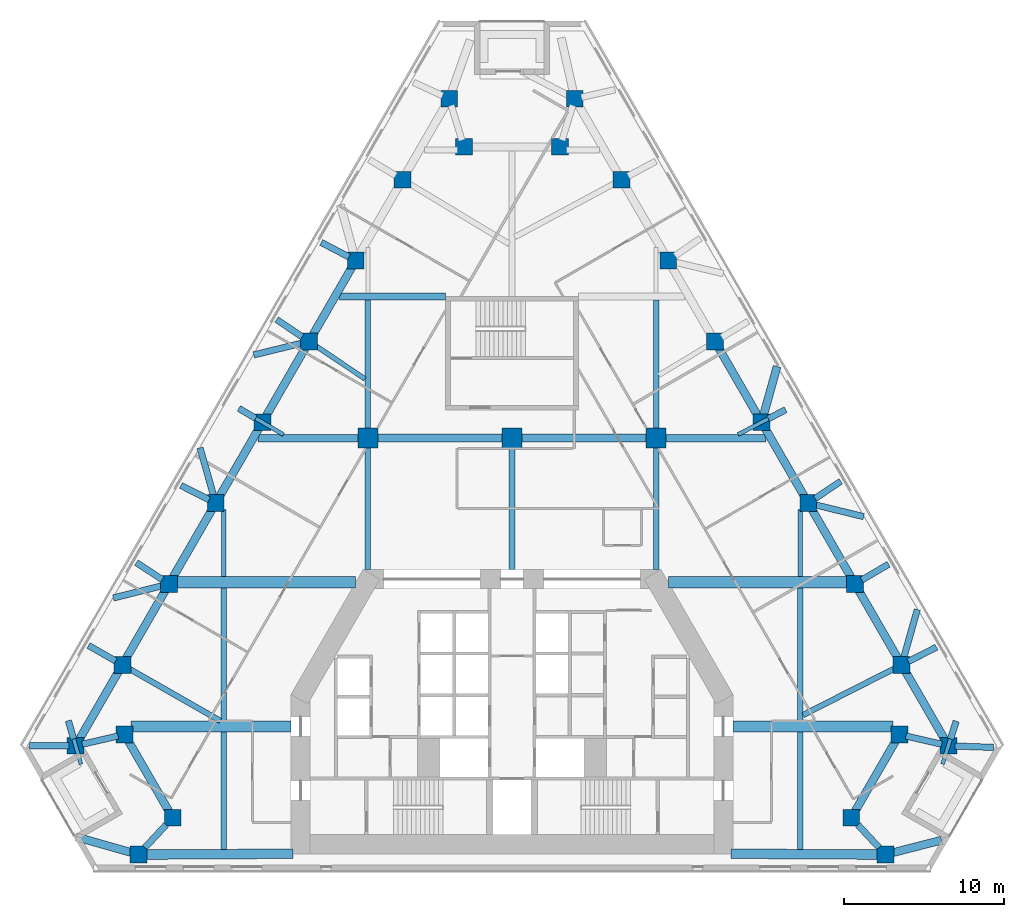
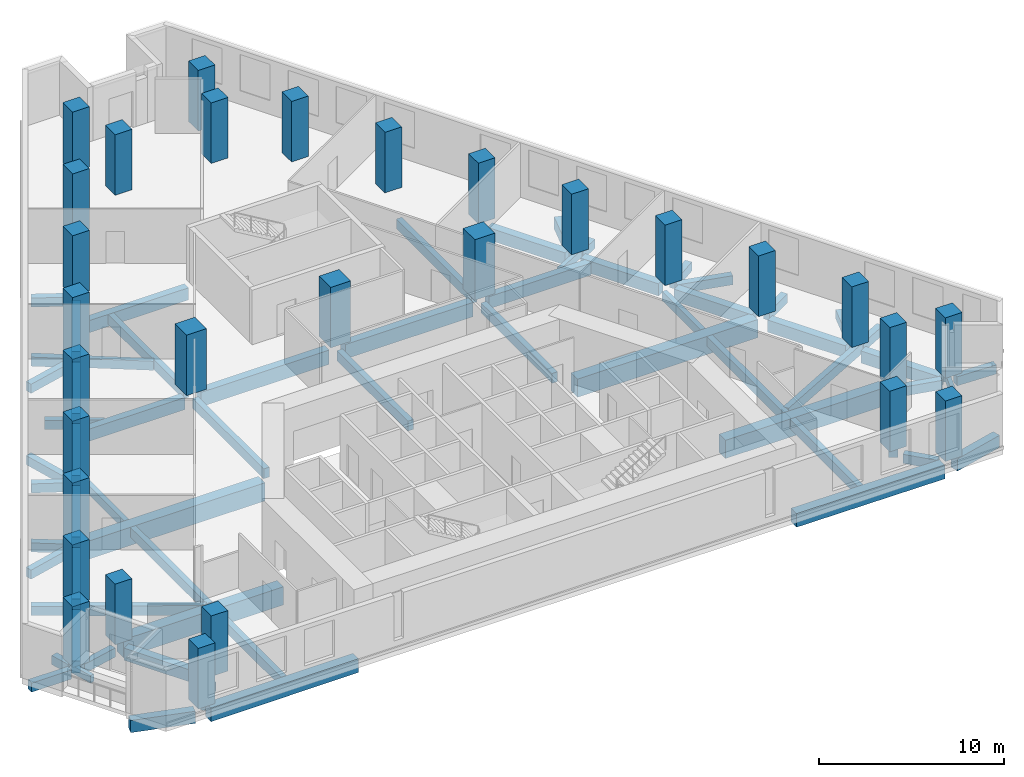
# One storey, part 1 of 9: 68 beams, 29 columns.
"""IFC4 building model written with IfcOpenShell, lengths in metres."""

from ifc_helpers import new_model, si_unit, direction, frame, origin, origin_2d, place, context, subcontext, project, spatial, rectangle, extrude, material, material_profile, profile_set, type_object, element, save


model = new_model("IFC4")

# Units and contexts
model_context = context("Model", 3, precision=1e-05, world=origin(), true_north=direction((0.0, 1.0)))
body_context = subcontext(model_context, "Body", "Model", "MODEL_VIEW")
ifc_project = project(units=[si_unit("LENGTHUNIT", "METRE"), si_unit("AREAUNIT", "SQUARE_METRE"), si_unit("VOLUMEUNIT", "CUBIC_METRE"), si_unit("PLANEANGLEUNIT", "RADIAN"), si_unit("MASSUNIT", "GRAM", prefix="KILO")], contexts=[model_context])

# Site, building, storey
site_placement = place(None, origin())
site = spatial("IfcSite", under=ifc_project, at=site_placement, CompositionType="ELEMENT")
building_placement = place(site_placement, origin())
building = spatial("IfcBuilding", under=site, at=building_placement, Name="Fogline Exchange Tower", CompositionType="ELEMENT")
storey_placement = place(building_placement, frame((0.0, 0.0, 104.10009765625)))
storey = spatial("IfcBuildingStorey", under=building, at=storey_placement, Name="L22", CompositionType="ELEMENT", Elevation=104.10009765625)

# Columns
ifc_material_1 = material(Name="Concrete C70", Category="concrete")
ifc_material_profile_1 = material_profile(ifc_material_1, rectangle(XDim=1.25, YDim=1.25, at=origin_2d()), Name="RC 1250x1250")
ifc_profile_set_1 = profile_set([ifc_material_profile_1], Name="Concrete C70")
column_type_1 = type_object("IfcColumnType", Name="C03", PredefinedType="COLUMN", material=ifc_profile_set_1)
for number, where, z_axis, x_axis, name in (
    (1, (-9.0, 27.0, 0.0), (0.0, 0.0, 1.0), (1.0, 0.0, 0.0), "IC--9-27"),
    (2, (0.0, 27.0, 0.0), (0.0, 0.0, 1.0), (1.0, 0.0, 0.0), "IC-0-27"),
    (3, (9.0, 27.0, 0.0), (0.0, 0.0, 1.0), (1.0, 0.0, 0.0), "IC-9-27"),
):
    element("IfcColumn", number, at=place(storey_placement, frame(where, z_axis=z_axis, x_axis=x_axis)), inside=storey, type_object=column_type_1, Name=name, PredefinedType="COLUMN", context=body_context, shape_type="SweptSolid", body=[
        extrude(rectangle(XDim=1.25, YDim=1.25, at=origin_2d()), origin(), (0.0, 0.0, 1.0), 4.0),
    ])
ifc_material_profile_2 = material_profile(ifc_material_1, rectangle(XDim=1.050048828125, YDim=1.050048828125, at=origin_2d()), Name="RC 1050x1050")
ifc_profile_set_2 = profile_set([ifc_material_profile_2], Name="Concrete C70")
column_type_2 = type_object("IfcColumnType", Name="C04", PredefinedType="COLUMN", material=ifc_profile_set_2)
for number, where, z_axis, x_axis, name in (
    (4, (-27.2490234375, 7.794189453125, 0.0), (0.0, 0.0, 1.0), (1.0, 0.0, 0.0), "SW-a"),
    (5, (-24.189697265625, 8.4951171875, 0.0), (0.0, 0.0, 1.0), (1.0, 0.0, 0.0), "SW-p4"),
    (6, (-21.189697265625, 3.299072265625, 0.0), (0.0, 0.0, 1.0), (1.0, 0.0, 0.0), "SW-p3"),
    (7, (-23.326416015625, 1.0, 0.0), (0.0, 0.0, 1.0), (1.0, 0.0, 0.0), "SW-b"),
    (8, (23.326416015625, 1.0, 0.0), (0.0, 0.0, 1.0), (1.0, 0.0, 0.0), "SE-a"),
    (9, (21.189697265625, 3.299072265625, 0.0), (0.0, 0.0, 1.0), (1.0, 0.0, 0.0), "SE-p4"),
    (10, (24.189697265625, 8.4951171875, 0.0), (0.0, 0.0, 1.0), (1.0, 0.0, 0.0), "SE-p3"),
    (11, (27.2490234375, 7.794189453125, 0.0), (0.0, 0.0, 1.0), (1.0, 0.0, 0.0), "SE-b"),
    (12, (24.333251953125, 12.844482421875, 0.0), (0.0, 0.0, 1.0), (1.0, 0.0, 0.0), "E1"),
    (13, (21.41748046875, 17.894775390625, 0.0), (0.0, 0.0, 1.0), (1.0, 0.0, 0.0), "E2"),
    (14, (18.501708984375, 22.945068359375, 0.0), (0.0, 0.0, 1.0), (1.0, 0.0, 0.0), "E3"),
    (15, (15.585693359375, 27.995361328125, 0.0), (0.0, 0.0, 1.0), (1.0, 0.0, 0.0), "E4"),
    (16, (12.669921875, 33.045654296875, 0.0), (0.0, 0.0, 1.0), (1.0, 0.0, 0.0), "E5"),
    (17, (9.754150390625, 38.095947265625, 0.0), (0.0, 0.0, 1.0), (1.0, 0.0, 0.0), "E6"),
    (18, (6.83837890625, 43.146240234375, 0.0), (0.0, 0.0, 1.0), (1.0, 0.0, 0.0), "E7"),
    (19, (3.922607421875, 48.19677734375, 0.0), (0.0, 0.0, 1.0), (1.0, 0.0, 0.0), "N-a"),
    (20, (3.0, 45.19677734375, 0.0), (0.0, 0.0, 1.0), (1.0, 0.0, 0.0), "N-p4"),
    (21, (-3.0, 45.19677734375, 0.0), (0.0, 0.0, 1.0), (1.0, 0.0, 0.0), "N-p3"),
    (22, (-3.922607421875, 48.19677734375, 0.0), (0.0, 0.0, 1.0), (1.0, 0.0, 0.0), "N-b"),
    (23, (-6.83837890625, 43.146240234375, 0.0), (0.0, 0.0, 1.0), (1.0, 0.0, 0.0), "W1"),
    (24, (-9.754150390625, 38.095947265625, 0.0), (0.0, 0.0, 1.0), (1.0, 0.0, 0.0), "W2"),
    (25, (-12.669921875, 33.045654296875, 0.0), (0.0, 0.0, 1.0), (1.0, 0.0, 0.0), "W3"),
    (26, (-15.585693359375, 27.995361328125, 0.0), (0.0, 0.0, 1.0), (1.0, 0.0, 0.0), "W4"),
    (27, (-18.501708984375, 22.945068359375, 0.0), (0.0, 0.0, 1.0), (1.0, 0.0, 0.0), "W5"),
    (28, (-21.41748046875, 17.894775390625, 0.0), (0.0, 0.0, 1.0), (1.0, 0.0, 0.0), "W6"),
    (29, (-24.333251953125, 12.844482421875, 0.0), (0.0, 0.0, 1.0), (1.0, 0.0, 0.0), "W7"),
):
    element("IfcColumn", number, at=place(storey_placement, frame(where, z_axis=z_axis, x_axis=x_axis)), inside=storey, type_object=column_type_2, Name=name, PredefinedType="COLUMN", context=body_context, shape_type="SweptSolid", body=[
        extrude(rectangle(XDim=1.050048828125, YDim=1.050048828125, at=origin_2d()), origin(), (0.0, 0.0, 1.0), 4.0),
    ])

# Beams
ifc_material_2 = material(Name="Concrete C40", Category="concrete")
ifc_material_profile_3 = material_profile(ifc_material_2, rectangle(XDim=0.300048828125, YDim=0.60009765625, at=origin_2d()), Name="RC 300x600")
ifc_profile_set_3 = profile_set([ifc_material_profile_3], Name="Concrete C40")
beam_type_1 = type_object("IfcBeamType", Name="B06", PredefinedType="BEAM", material=ifc_profile_set_3)
for number, where, z_axis, x_axis, name in (
    (30, (-18.0, 18.35009765625, -0.7001953125), (0.0, 1.0, 0.0), (-1.0, 0.0, 0.0), "SB003"),
    (31, (18.0, 18.35009765625, -0.7001953125), (0.0, 1.0, 0.0), (-1.0, 0.0, 0.0), "SB014"),
):
    element("IfcBeam", number, at=place(storey_placement, frame(where, z_axis=z_axis, x_axis=x_axis)), inside=storey, type_object=beam_type_1, Name=name, PredefinedType="BEAM", context=body_context, shape_type="SweptSolid", body=[
        extrude(rectangle(XDim=0.300048828125, YDim=0.60009765625, at=origin_2d()), origin(), (0.0, 0.0, 1.0), 4.18994140625),
    ])
beam_1_placement = place(storey_placement, frame((-13.195068359375, 33.39794921875, -0.7001953125), z_axis=(0.830401800017, -0.557165011939, 0.0), x_axis=(0.557165011939, 0.830401800017, 0.0)))
element("IfcBeam", 32, at=beam_1_placement, inside=storey, type_object=beam_type_1, Name="SK022", PredefinedType="BEAM", context=body_context, shape_type="SweptSolid", body=[
    extrude(rectangle(XDim=0.300048828125, YDim=0.60009765625, at=origin_2d()), origin(), (0.0, 0.0, 1.0), 4.841064453125),
])
ifc_material_profile_4 = material_profile(ifc_material_2, rectangle(XDim=0.25, YDim=0.5, at=origin_2d()), Name="RC 250x500")
ifc_profile_set_4 = profile_set([ifc_material_profile_4], Name="Concrete C40")
beam_type_2 = type_object("IfcBeamType", Name="B08", PredefinedType="BEAM", material=ifc_profile_set_4)
beam_2_placement = place(storey_placement, frame((-16.11083984375, 28.30322265625, -0.650146484375), z_axis=(0.8626635068, -0.505778285453, 0.0), x_axis=(0.505778285453, 0.8626635068, 0.0)))
element("IfcBeam", 33, at=beam_2_placement, inside=storey, type_object=beam_type_2, Name="SK016", PredefinedType="BEAM", context=body_context, shape_type="SweptSolid", body=[
    extrude(rectangle(XDim=0.25, YDim=0.5, at=origin_2d()), origin(), (0.0, 0.0, 1.0), 2.131591796875),
])
beam_3_placement = place(storey_placement, frame((16.11083984375, 28.27001953125, -0.650146484375), z_axis=(-0.886159772529, -0.463379819966, 0.0), x_axis=(0.463379819966, -0.886159772529, 0.0)))
element("IfcBeam", 34, at=beam_3_placement, inside=storey, type_object=beam_type_2, Name="SK020", PredefinedType="BEAM", context=body_context, shape_type="SweptSolid", body=[
    extrude(rectangle(XDim=0.25, YDim=0.5, at=origin_2d()), origin(), (0.0, 0.0, 1.0), 2.2548828125),
])
beam_4_placement = place(storey_placement, frame((-27.372314453125, 8.218505859375, -0.650146484375), z_axis=(0.279229948212, -0.9602242634, 0.0), x_axis=(0.9602242634, 0.279229948212, 0.0)))
element("IfcBeam", 35, at=beam_4_placement, inside=storey, type_object=beam_type_2, Name="SK023", PredefinedType="BEAM", context=body_context, shape_type="SweptSolid", body=[
    extrude(rectangle(XDim=0.25, YDim=0.5, at=origin_2d()), origin(), (0.0, 0.0, 1.0), 1.643798828125),
])
beam_5_placement = place(storey_placement, frame((27.385009765625, 8.220703125, -0.650146484375), z_axis=(-0.304008781424, -0.95266922949, 0.0), x_axis=(0.95266922949, -0.304008781424, 0.0)))
element("IfcBeam", 36, at=beam_5_placement, inside=storey, type_object=beam_type_2, Name="SK024", PredefinedType="BEAM", context=body_context, shape_type="SweptSolid", body=[
    extrude(rectangle(XDim=0.25, YDim=0.5, at=origin_2d()), origin(), (0.0, 0.0, 1.0), 1.65185546875),
])
ifc_material_profile_5 = material_profile(ifc_material_2, rectangle(XDim=0.60009765625, YDim=0.89990234375, at=origin_2d()), Name="RC 600x900")
ifc_profile_set_5 = profile_set([ifc_material_profile_5], Name="Concrete C40")
beam_type_3 = type_object("IfcBeamType", Name="B09", PredefinedType="BEAM", material=ifc_profile_set_5)
for number, where, z_axis, x_axis, name in (
    (37, (-22.92138671875, 0.998779296875, -0.85009765625), (0.999984168638, 0.005626941799, 0.0), (-0.005626941799, 0.999984168638, 0.0), "RB004"),
    (38, (13.679931640625, 1.05078125, -0.85009765625), (0.999984464538, -0.005574108314, 0.0), (0.005574108314, 0.999984464538, 0.0), "RB005"),
):
    element("IfcBeam", number, at=place(storey_placement, frame(where, z_axis=z_axis, x_axis=x_axis)), inside=storey, type_object=beam_type_3, Name=name, PredefinedType="BEAM", context=body_context, shape_type="SweptSolid", body=[
        extrude(rectangle(XDim=0.60009765625, YDim=0.89990234375, at=origin_2d()), origin(), (0.0, 0.0, 1.0), 9.24169921875),
    ])
ifc_material_profile_6 = material_profile(ifc_material_2, rectangle(XDim=0.5, YDim=0.800048828125, at=origin_2d()), Name="RC 500x800")
ifc_profile_set_6 = profile_set([ifc_material_profile_6], Name="Concrete C40")
beam_type_4 = type_object("IfcBeamType", Name="B10", PredefinedType="BEAM", material=ifc_profile_set_6)
for number, where, z_axis, x_axis, name in (
    (39, (-23.946533203125, 8.07421875, -0.800048828125), (0.500019495363, -0.866014147839, 0.0), (0.866014147839, 0.500019495363, 0.0), "RB002"),
    (40, (21.4326171875, 3.72021484375, -0.800048828125), (0.500019495363, 0.866014147839, 0.0), (-0.866014147839, 0.500019495363, 0.0), "RB007"),
):
    element("IfcBeam", number, at=place(storey_placement, frame(where, z_axis=z_axis, x_axis=x_axis)), inside=storey, type_object=beam_type_4, Name=name, PredefinedType="BEAM", context=body_context, shape_type="SweptSolid", body=[
        extrude(rectangle(XDim=0.5, YDim=0.800048828125, at=origin_2d()), origin(), (0.0, 0.0, 1.0), 5.027587890625),
    ])
beam_6_placement = place(storey_placement, frame((27.005859375, 8.21533203125, -0.800048828125), z_axis=(-0.499970359091, 0.866042516295, 0.0), x_axis=(-0.866042516295, -0.499970359091, 0.0)))
element("IfcBeam", 41, at=beam_6_placement, inside=storey, type_object=beam_type_4, Name="RB009", PredefinedType="BEAM", context=body_context, shape_type="SweptSolid", body=[
    extrude(rectangle(XDim=0.5, YDim=0.800048828125, at=origin_2d()), origin(), (0.0, 0.0, 1.0), 4.859130859375),
])
for number, where, z_axis, x_axis, name in (
    (42, (24.090087890625, 13.265625, -0.800048828125), (-0.500008041581, 0.866020760926, 0.0), (-0.866020760926, -0.500008041581, 0.0), "RB010"),
    (43, (21.17431640625, 18.31591796875, -0.800048828125), (-0.500008041581, 0.866020760926, 0.0), (-0.866020760926, -0.500008041581, 0.0), "RB011"),
    (44, (18.258544921875, 23.3662109375, -0.800048828125), (-0.500008041581, 0.866020760926, 0.0), (-0.866020760926, -0.500008041581, 0.0), "RB012"),
    (45, (15.3427734375, 28.41650390625, -0.800048828125), (-0.500008041581, 0.866020760926, 0.0), (-0.866020760926, -0.500008041581, 0.0), "RB013"),
    (46, (-9.997314453125, 37.675048828125, -0.800048828125), (-0.500008041581, -0.866020760926, 0.0), (0.866020760926, -0.500008041581, 0.0), "RB022"),
    (47, (-12.9130859375, 32.624755859375, -0.800048828125), (-0.500008041581, -0.866020760926, 0.0), (0.866020760926, -0.500008041581, 0.0), "RB023"),
    (48, (-15.828857421875, 27.574462890625, -0.800048828125), (-0.500008041581, -0.866020760926, 0.0), (0.866020760926, -0.500008041581, 0.0), "RB024"),
    (49, (-18.74462890625, 22.524169921875, -0.800048828125), (-0.500008041581, -0.866020760926, 0.0), (0.866020760926, -0.500008041581, 0.0), "RB025"),
    (50, (-21.660400390625, 17.473876953125, -0.800048828125), (-0.500008041581, -0.866020760926, 0.0), (0.866020760926, -0.500008041581, 0.0), "RB026"),
):
    element("IfcBeam", number, at=place(storey_placement, frame(where, z_axis=z_axis, x_axis=x_axis)), inside=storey, type_object=beam_type_4, Name=name, PredefinedType="BEAM", context=body_context, shape_type="SweptSolid", body=[
        extrude(rectangle(XDim=0.5, YDim=0.800048828125, at=origin_2d()), origin(), (0.0, 0.0, 1.0), 4.859375),
    ])
beam_7_placement = place(storey_placement, frame((-24.576416015625, 12.423583984375, -0.800048828125), z_axis=(-0.499970359091, -0.866042516295, 0.0), x_axis=(0.866042516295, -0.499970359091, 0.0)))
element("IfcBeam", 51, at=beam_7_placement, inside=storey, type_object=beam_type_4, Name="RB027", PredefinedType="BEAM", context=body_context, shape_type="SweptSolid", body=[
    extrude(rectangle(XDim=0.5, YDim=0.800048828125, at=origin_2d()), origin(), (0.0, 0.0, 1.0), 4.859130859375),
])
beam_8_placement = place(storey_placement, frame((-23.73583984375, 1.115966796875, -0.800048828125), z_axis=(-0.962158744205, 0.272489542828, 0.0), x_axis=(-0.272489542828, -0.962158744205, 0.0)))
element("IfcBeam", 52, at=beam_8_placement, inside=storey, type_object=beam_type_4, Name="SP030", PredefinedType="BEAM", context=body_context, shape_type="SweptSolid", body=[
    extrude(rectangle(XDim=0.5, YDim=0.800048828125, at=origin_2d()), origin(), (0.0, 0.0, 1.0), 3.59912109375),
])
beam_9_placement = place(storey_placement, frame((23.735107421875, 1.105224609375, -0.800048828125), z_axis=(0.968471290959, 0.24912518658, 0.0), x_axis=(-0.24912518658, 0.968471290959, 0.0)))
element("IfcBeam", 53, at=beam_9_placement, inside=storey, type_object=beam_type_4, Name="SP031", PredefinedType="BEAM", context=body_context, shape_type="SweptSolid", body=[
    extrude(rectangle(XDim=0.5, YDim=0.800048828125, at=origin_2d()), origin(), (0.0, 0.0, 1.0), 3.18798828125),
])
beam_10_placement = place(storey_placement, frame((15.699462890625, 28.40478515625, -0.800048828125), z_axis=(0.267584631836, 0.963534360988, 0.0), x_axis=(-0.963534360988, 0.267584631836, 0.0)))
element("IfcBeam", 54, at=beam_10_placement, inside=storey, type_object=beam_type_4, Name="SP059", PredefinedType="BEAM", context=body_context, shape_type="SweptSolid", body=[
    extrude(rectangle(XDim=0.5, YDim=0.800048828125, at=origin_2d()), origin(), (0.0, 0.0, 1.0), 3.188720703125),
])
ifc_material_profile_7 = material_profile(ifc_material_2, rectangle(XDim=0.39990234375, YDim=0.60009765625, at=origin_2d()), Name="RC 400x600")
ifc_profile_set_7 = profile_set([ifc_material_profile_7], Name="Concrete C40")
beam_type_5 = type_object("IfcBeamType", Name="B11", PredefinedType="BEAM", material=ifc_profile_set_7)
beam_11_placement = place(storey_placement, frame((-26.841064453125, 7.8876953125, -0.7001953125), z_axis=(0.974751081059, 0.223294267671, 0.0), x_axis=(-0.223294267671, 0.974751081059, 0.0)))
element("IfcBeam", 55, at=beam_11_placement, inside=storey, type_object=beam_type_5, Name="RB001", PredefinedType="BEAM", context=body_context, shape_type="SweptSolid", body=[
    extrude(rectangle(XDim=0.39990234375, YDim=0.60009765625, at=origin_2d()), origin(), (0.0, 0.0, 1.0), 2.301513671875),
])
for number, where, z_axis, x_axis, name in (
    (56, (-21.595703125, 2.86181640625, -0.7001953125), (-0.680845728707, -0.732426852117, 0.0), (0.732426852117, -0.680845728707, 0.0), "RB003"),
    (57, (22.920166015625, 1.43701171875, -0.7001953125), (-0.680845728707, 0.732426852117, 0.0), (-0.732426852117, -0.680845728707, 0.0), "RB006"),
):
    element("IfcBeam", number, at=place(storey_placement, frame(where, z_axis=z_axis, x_axis=x_axis)), inside=storey, type_object=beam_type_5, Name=name, PredefinedType="BEAM", context=body_context, shape_type="SweptSolid", body=[
        extrude(rectangle(XDim=0.39990234375, YDim=0.60009765625, at=origin_2d()), origin(), (0.0, 0.0, 1.0), 1.9453125),
    ])
beam_12_placement = place(storey_placement, frame((24.59765625, 8.401611328125, -0.7001953125), z_axis=(0.974751081059, -0.223294267671, 0.0), x_axis=(0.223294267671, 0.974751081059, 0.0)))
element("IfcBeam", 58, at=beam_12_placement, inside=storey, type_object=beam_type_5, Name="RB008", PredefinedType="BEAM", context=body_context, shape_type="SweptSolid", body=[
    extrude(rectangle(XDim=0.39990234375, YDim=0.60009765625, at=origin_2d()), origin(), (0.0, 0.0, 1.0), 2.301513671875),
])
beam_13_placement = place(storey_placement, frame((-27.654052734375, 7.794189453125, -0.7001953125), z_axis=(-1.0, 0.0, 0.0), x_axis=(0.0, -1.0, 0.0)))
element("IfcBeam", 59, at=beam_13_placement, inside=storey, type_object=beam_type_5, Name="SP032", PredefinedType="BEAM", context=body_context, shape_type="SweptSolid", body=[
    extrude(rectangle(XDim=0.39990234375, YDim=0.60009765625, at=origin_2d()), origin(), (0.0, 0.0, 1.0), 2.48388671875),
])
beam_14_placement = place(storey_placement, frame((27.654052734375, 7.779296875, -0.7001953125), z_axis=(0.999307612951, -0.037206111045, 0.0), x_axis=(0.037206111045, 0.999307612951, 0.0)))
element("IfcBeam", 60, at=beam_14_placement, inside=storey, type_object=beam_type_5, Name="SP033", PredefinedType="BEAM", context=body_context, shape_type="SweptSolid", body=[
    extrude(rectangle(XDim=0.39990234375, YDim=0.60009765625, at=origin_2d()), origin(), (0.0, 0.0, 1.0), 2.414794921875),
])
beam_15_placement = place(storey_placement, frame((-24.75390625, 13.084716796875, -0.7001953125), z_axis=(-0.868381750454, 0.495896295085, 0.0), x_axis=(-0.495896295085, -0.868381750454, 0.0)))
element("IfcBeam", 61, at=beam_15_placement, inside=storey, type_object=beam_type_5, Name="SP035", PredefinedType="BEAM", context=body_context, shape_type="SweptSolid", body=[
    extrude(rectangle(XDim=0.39990234375, YDim=0.60009765625, at=origin_2d()), origin(), (0.0, 0.0, 1.0), 1.95068359375),
])
beam_16_placement = place(storey_placement, frame((-16.00732421875, 28.24267578125, -0.7001953125), z_axis=(-0.862710012371, 0.505698956451, 0.0), x_axis=(-0.505698956451, -0.862710012371, 0.0)))
element("IfcBeam", 62, at=beam_16_placement, inside=storey, type_object=beam_type_5, Name="SP036", PredefinedType="BEAM", context=body_context, shape_type="SweptSolid", body=[
    extrude(rectangle(XDim=0.39990234375, YDim=0.60009765625, at=origin_2d()), origin(), (0.0, 0.0, 1.0), 1.219970703125),
])
beam_17_placement = place(storey_placement, frame((21.8388671875, 18.142333984375, -0.7001953125), z_axis=(0.862291946909, 0.506411491078, 0.0), x_axis=(-0.506411491078, 0.862291946909, 0.0)))
element("IfcBeam", 63, at=beam_17_placement, inside=storey, type_object=beam_type_5, Name="SP037", PredefinedType="BEAM", context=body_context, shape_type="SweptSolid", body=[
    extrude(rectangle(XDim=0.39990234375, YDim=0.60009765625, at=origin_2d()), origin(), (0.0, 0.0, 1.0), 1.9462890625),
])
beam_18_placement = place(storey_placement, frame((16.00439453125, 28.21435546875, -0.7001953125), z_axis=(0.886156359679, 0.463386346583, 0.0), x_axis=(-0.463386346583, 0.886156359679, 0.0)))
element("IfcBeam", 64, at=beam_18_placement, inside=storey, type_object=beam_type_5, Name="SP041", PredefinedType="BEAM", context=body_context, shape_type="SweptSolid", body=[
    extrude(rectangle(XDim=0.39990234375, YDim=0.60009765625, at=origin_2d()), origin(), (0.0, 0.0, 1.0), 1.22021484375),
])
beam_19_placement = place(storey_placement, frame((-10.1728515625, 38.314697265625, -0.7001953125), z_axis=(-0.886489579904, 0.462748554532, 0.0), x_axis=(-0.462748554532, -0.886489579904, 0.0)))
element("IfcBeam", 65, at=beam_19_placement, inside=storey, type_object=beam_type_5, Name="SP042", PredefinedType="BEAM", context=body_context, shape_type="SweptSolid", body=[
    extrude(rectangle(XDim=0.39990234375, YDim=0.60009765625, at=origin_2d()), origin(), (0.0, 0.0, 1.0), 1.96533203125),
])
beam_20_placement = place(storey_placement, frame((24.751220703125, 13.05712890625, -0.7001953125), z_axis=(0.891433491265, 0.453151553733, 0.0), x_axis=(-0.453151553733, 0.891433491265, 0.0)))
element("IfcBeam", 66, at=beam_20_placement, inside=storey, type_object=beam_type_5, Name="SP043", PredefinedType="BEAM", context=body_context, shape_type="SweptSolid", body=[
    extrude(rectangle(XDim=0.39990234375, YDim=0.60009765625, at=origin_2d()), origin(), (0.0, 0.0, 1.0), 1.97021484375),
])
beam_21_placement = place(storey_placement, frame((-18.919677734375, 23.1572265625, -0.7001953125), z_axis=(-0.891659844747, 0.452705998708, 0.0), x_axis=(-0.452705998708, -0.891659844747, 0.0)))
element("IfcBeam", 67, at=beam_21_placement, inside=storey, type_object=beam_type_5, Name="SP044", PredefinedType="BEAM", context=body_context, shape_type="SweptSolid", body=[
    extrude(rectangle(XDim=0.39990234375, YDim=0.60009765625, at=origin_2d()), origin(), (0.0, 0.0, 1.0), 1.970458984375),
])
beam_22_placement = place(storey_placement, frame((-21.842041015625, 18.172607421875, -0.7001953125), z_axis=(-0.83672467592, 0.547623791217, 0.0), x_axis=(-0.547623791217, -0.83672467592, 0.0)))
element("IfcBeam", 68, at=beam_22_placement, inside=storey, type_object=beam_type_5, Name="SP045", PredefinedType="BEAM", context=body_context, shape_type="SweptSolid", body=[
    extrude(rectangle(XDim=0.39990234375, YDim=0.60009765625, at=origin_2d()), origin(), (0.0, 0.0, 1.0), 1.93212890625),
])
beam_23_placement = place(storey_placement, frame((-13.095458984375, 33.3310546875, -0.7001953125), z_axis=(-0.83033321532, 0.557267217353, 0.0), x_axis=(-0.557267217353, -0.83033321532, 0.0)))
element("IfcBeam", 69, at=beam_23_placement, inside=storey, type_object=beam_type_5, Name="SP046", PredefinedType="BEAM", context=body_context, shape_type="SweptSolid", body=[
    extrude(rectangle(XDim=0.39990234375, YDim=0.60009765625, at=origin_2d()), origin(), (0.0, 0.0, 1.0), 1.929443359375),
])
beam_24_placement = place(storey_placement, frame((18.927001953125, 23.23095703125, -0.7001953125), z_axis=(0.830039531016, 0.557704560633, 0.0), x_axis=(-0.557704560633, 0.830039531016, 0.0)))
element("IfcBeam", 70, at=beam_24_placement, inside=storey, type_object=beam_type_5, Name="SP047", PredefinedType="BEAM", context=body_context, shape_type="SweptSolid", body=[
    extrude(rectangle(XDim=0.39990234375, YDim=0.60009765625, at=origin_2d()), origin(), (0.0, 0.0, 1.0), 1.92919921875),
])
beam_25_placement = place(storey_placement, frame((-27.3681640625, 8.2041015625, -0.7001953125), z_axis=(-0.279278763859, 0.96021006663, 0.0), x_axis=(-0.96021006663, -0.279278763859, 0.0)))
element("IfcBeam", 71, at=beam_25_placement, inside=storey, type_object=beam_type_5, Name="SP050", PredefinedType="BEAM", context=body_context, shape_type="SweptSolid", body=[
    extrude(rectangle(XDim=0.39990234375, YDim=0.60009765625, at=origin_2d()), origin(), (0.0, 0.0, 1.0), 1.208984375),
])
beam_26_placement = place(storey_placement, frame((27.380126953125, 8.204833984375, -0.7001953125), z_axis=(0.30402027351, 0.952665562144, 0.0), x_axis=(-0.952665562144, 0.30402027351, 0.0)))
element("IfcBeam", 72, at=beam_26_placement, inside=storey, type_object=beam_type_5, Name="SP051", PredefinedType="BEAM", context=body_context, shape_type="SweptSolid", body=[
    extrude(rectangle(XDim=0.39990234375, YDim=0.60009765625, at=origin_2d()), origin(), (0.0, 0.0, 1.0), 1.1845703125),
])
beam_27_placement = place(storey_placement, frame((24.449462890625, 13.254150390625, -0.7001953125), z_axis=(0.273294127819, 0.961930517085, 0.0), x_axis=(-0.961930517085, 0.273294127819, 0.0)))
element("IfcBeam", 73, at=beam_27_placement, inside=storey, type_object=beam_type_5, Name="SP052", PredefinedType="BEAM", context=body_context, shape_type="SweptSolid", body=[
    extrude(rectangle(XDim=0.39990234375, YDim=0.60009765625, at=origin_2d()), origin(), (0.0, 0.0, 1.0), 3.1640625),
])
beam_28_placement = place(storey_placement, frame((-21.825927734375, 17.79248046875, -0.7001953125), z_axis=(-0.970019803281, -0.243025885952, 0.0), x_axis=(0.243025885952, -0.970019803281, 0.0)))
element("IfcBeam", 74, at=beam_28_placement, inside=storey, type_object=beam_type_5, Name="SP053", PredefinedType="BEAM", context=body_context, shape_type="SweptSolid", body=[
    extrude(rectangle(XDim=0.39990234375, YDim=0.60009765625, at=origin_2d()), origin(), (0.0, 0.0, 1.0), 3.163330078125),
])
beam_29_placement = place(storey_placement, frame((18.909912109375, 22.845703125, -0.7001953125), z_axis=(0.971543911095, -0.236859512822, 0.0), x_axis=(0.236859512822, 0.971543911095, 0.0)))
element("IfcBeam", 75, at=beam_29_placement, inside=storey, type_object=beam_type_5, Name="SP055", PredefinedType="BEAM", context=body_context, shape_type="SweptSolid", body=[
    extrude(rectangle(XDim=0.39990234375, YDim=0.60009765625, at=origin_2d()), origin(), (0.0, 0.0, 1.0), 3.1396484375),
])
beam_30_placement = place(storey_placement, frame((-13.07861328125, 32.946044921875, -0.7001953125), z_axis=(-0.971445212169, -0.237263987479, 0.0), x_axis=(0.237263987479, -0.971445212169, 0.0)))
element("IfcBeam", 76, at=beam_30_placement, inside=storey, type_object=beam_type_5, Name="SP057", PredefinedType="BEAM", context=body_context, shape_type="SweptSolid", body=[
    extrude(rectangle(XDim=0.39990234375, YDim=0.60009765625, at=origin_2d()), origin(), (0.0, 0.0, 1.0), 3.140380859375),
])
beam_31_placement = place(storey_placement, frame((-18.6181640625, 23.354736328125, -0.7001953125), z_axis=(-0.273558719189, 0.961855304688, 0.0), x_axis=(-0.961855304688, -0.273558719189, 0.0)))
element("IfcBeam", 77, at=beam_31_placement, inside=storey, type_object=beam_type_5, Name="SP058", PredefinedType="BEAM", context=body_context, shape_type="SweptSolid", body=[
    extrude(rectangle(XDim=0.39990234375, YDim=0.60009765625, at=origin_2d()), origin(), (0.0, 0.0, 1.0), 3.162841796875),
])
ifc_material_profile_8 = material_profile(ifc_material_2, rectangle(XDim=0.5, YDim=0.949951171875, at=origin_2d()), Name="RC 500x950")
ifc_profile_set_8 = profile_set([ifc_material_profile_8], Name="Concrete C40")
beam_type_6 = type_object("IfcBeamType", Name="B14", PredefinedType="BEAM", material=ifc_profile_set_8)
for number, where, z_axis, x_axis, name in (
    (78, (-8.4951171875, 27.0, -0.875), (1.0, 0.0, 0.0), (0.0, 1.0, 0.0), "GB006"),
    (79, (0.5048828125, 27.0, -0.875), (1.0, 0.0, 0.0), (0.0, 1.0, 0.0), "GB007"),
):
    element("IfcBeam", number, at=place(storey_placement, frame(where, z_axis=z_axis, x_axis=x_axis)), inside=storey, type_object=beam_type_6, Name=name, PredefinedType="BEAM", context=body_context, shape_type="SweptSolid", body=[
        extrude(rectangle(XDim=0.5, YDim=0.949951171875, at=origin_2d()), origin(), (0.0, 0.0, 1.0), 7.990234375),
    ])
ifc_material_profile_9 = material_profile(ifc_material_2, rectangle(XDim=0.35009765625, YDim=0.64990234375, at=origin_2d()), Name="RC 350x650")
ifc_profile_set_9 = profile_set([ifc_material_profile_9], Name="Concrete C40")
beam_type_7 = type_object("IfcBeamType", Name="B16", PredefinedType="BEAM", material=ifc_profile_set_9)
beam_32_placement = place(storey_placement, frame((-18.0, 1.32763671875, -0.72509765625), z_axis=(0.0, 1.0, 0.0), x_axis=(-1.0, 0.0, 0.0)))
element("IfcBeam", 80, at=beam_32_placement, inside=storey, type_object=beam_type_7, Name="SB001", PredefinedType="BEAM", context=body_context, shape_type="SweptSolid", body=[
    extrude(rectangle(XDim=0.35009765625, YDim=0.64990234375, at=origin_2d()), origin(), (0.0, 0.0, 1.0), 7.322265625),
])
beam_33_placement = place(storey_placement, frame((-18.0, 9.35009765625, -0.72509765625), z_axis=(0.0, 1.0, 0.0), x_axis=(-1.0, 0.0, 0.0)))
element("IfcBeam", 81, at=beam_33_placement, inside=storey, type_object=beam_type_7, Name="SB002", PredefinedType="BEAM", context=body_context, shape_type="SweptSolid", body=[
    extrude(rectangle(XDim=0.35009765625, YDim=0.64990234375, at=origin_2d()), origin(), (0.0, 0.0, 1.0), 8.2998046875),
])
beam_34_placement = place(storey_placement, frame((-9.0, 18.800048828125, -0.72509765625), z_axis=(0.0, 1.0, 0.0), x_axis=(-1.0, 0.0, 0.0)))
element("IfcBeam", 82, at=beam_34_placement, inside=storey, type_object=beam_type_7, Name="SB004", PredefinedType="BEAM", context=body_context, shape_type="SweptSolid", body=[
    extrude(rectangle(XDim=0.35009765625, YDim=0.64990234375, at=origin_2d()), origin(), (0.0, 0.0, 1.0), 7.695068359375),
])
beam_35_placement = place(storey_placement, frame((-9.0, 27.5048828125, -0.72509765625), z_axis=(0.0, 1.0, 0.0), x_axis=(-1.0, 0.0, 0.0)))
element("IfcBeam", 83, at=beam_35_placement, inside=storey, type_object=beam_type_7, Name="SB005", PredefinedType="BEAM", context=body_context, shape_type="SweptSolid", body=[
    extrude(rectangle(XDim=0.35009765625, YDim=0.64990234375, at=origin_2d()), origin(), (0.0, 0.0, 1.0), 8.127197265625),
])
for number, where, z_axis, x_axis, name in (
    (84, (0.0, 18.800048828125, -0.72509765625), (0.0, 1.0, 0.0), (-1.0, 0.0, 0.0), "SB007"),
    (85, (9.0, 18.800048828125, -0.72509765625), (0.0, 1.0, 0.0), (-1.0, 0.0, 0.0), "SB009"),
):
    element("IfcBeam", number, at=place(storey_placement, frame(where, z_axis=z_axis, x_axis=x_axis)), inside=storey, type_object=beam_type_7, Name=name, PredefinedType="BEAM", context=body_context, shape_type="SweptSolid", body=[
        extrude(rectangle(XDim=0.35009765625, YDim=0.64990234375, at=origin_2d()), origin(), (0.0, 0.0, 1.0), 7.695068359375),
    ])
beam_36_placement = place(storey_placement, frame((9.0, 27.5048828125, -0.72509765625), z_axis=(0.0, 1.0, 0.0), x_axis=(-1.0, 0.0, 0.0)))
element("IfcBeam", 86, at=beam_36_placement, inside=storey, type_object=beam_type_7, Name="SB010", PredefinedType="BEAM", context=body_context, shape_type="SweptSolid", body=[
    extrude(rectangle(XDim=0.35009765625, YDim=0.64990234375, at=origin_2d()), origin(), (0.0, 0.0, 1.0), 8.127197265625),
])
beam_37_placement = place(storey_placement, frame((18.0, 1.327880859375, -0.72509765625), z_axis=(0.0, 1.0, 0.0), x_axis=(-1.0, 0.0, 0.0)))
element("IfcBeam", 87, at=beam_37_placement, inside=storey, type_object=beam_type_7, Name="SB012", PredefinedType="BEAM", context=body_context, shape_type="SweptSolid", body=[
    extrude(rectangle(XDim=0.35009765625, YDim=0.64990234375, at=origin_2d()), origin(), (0.0, 0.0, 1.0), 7.322021484375),
])
beam_38_placement = place(storey_placement, frame((18.0, 9.35009765625, -0.72509765625), z_axis=(0.0, 1.0, 0.0), x_axis=(-1.0, 0.0, 0.0)))
element("IfcBeam", 88, at=beam_38_placement, inside=storey, type_object=beam_type_7, Name="SB013", PredefinedType="BEAM", context=body_context, shape_type="SweptSolid", body=[
    extrude(rectangle(XDim=0.35009765625, YDim=0.64990234375, at=origin_2d()), origin(), (0.0, 0.0, 1.0), 8.2998046875),
])
beam_39_placement = place(storey_placement, frame((-24.858154296875, 13.144287109375, -0.72509765625), z_axis=(0.86838644813, -0.495888068726, 0.0), x_axis=(0.495888068726, 0.86838644813, 0.0)))
element("IfcBeam", 89, at=beam_39_placement, inside=storey, type_object=beam_type_7, Name="SK015", PredefinedType="BEAM", context=body_context, shape_type="SweptSolid", body=[
    extrude(rectangle(XDim=0.35009765625, YDim=0.64990234375, at=origin_2d()), origin(), (0.0, 0.0, 1.0), 7.6513671875),
])
beam_40_placement = place(storey_placement, frame((24.858154296875, 13.111572265625, -0.72509765625), z_axis=(-0.891398063146, -0.453221240698, 0.0), x_axis=(0.453221240698, -0.891398063146, 0.0)))
element("IfcBeam", 90, at=beam_40_placement, inside=storey, type_object=beam_type_7, Name="SK021", PredefinedType="BEAM", context=body_context, shape_type="SweptSolid", body=[
    extrude(rectangle(XDim=0.35009765625, YDim=0.64990234375, at=origin_2d()), origin(), (0.0, 0.0, 1.0), 7.497314453125),
])
ifc_material_profile_10 = material_profile(ifc_material_2, rectangle(XDim=0.699951171875, YDim=1.199951171875, at=origin_2d()), Name="RC 700x1200")
ifc_profile_set_10 = profile_set([ifc_material_profile_10], Name="Concrete C40")
beam_type_8 = type_object("IfcBeamType", Name="B17", PredefinedType="BEAM", material=ifc_profile_set_10)
for number, where, z_axis, x_axis, name in (
    (91, (-23.78466796875, 9.0, -1.0), (1.0, 0.0, 0.0), (0.0, 1.0, 0.0), "GB001"),
    (92, (13.800048828125, 9.0, -1.0), (1.0, 0.0, 0.0), (0.0, 1.0, 0.0), "GB002"),
):
    element("IfcBeam", number, at=place(storey_placement, frame(where, z_axis=z_axis, x_axis=x_axis)), inside=storey, type_object=beam_type_8, Name=name, PredefinedType="BEAM", context=body_context, shape_type="SweptSolid", body=[
        extrude(rectangle(XDim=0.699951171875, YDim=1.199951171875, at=origin_2d()), origin(), (0.0, 0.0, 1.0), 9.984619140625),
    ])
for number, where, z_axis, x_axis, name in (
    (93, (-21.012451171875, 18.0, -1.0), (1.0, 0.0, 0.0), (0.0, 1.0, 0.0), "GB003"),
    (94, (9.758056640625, 18.0, -1.0), (1.0, 0.0, 0.0), (0.0, 1.0, 0.0), "GB004"),
):
    element("IfcBeam", number, at=place(storey_placement, frame(where, z_axis=z_axis, x_axis=x_axis)), inside=storey, type_object=beam_type_8, Name=name, PredefinedType="BEAM", context=body_context, shape_type="SweptSolid", body=[
        extrude(rectangle(XDim=0.699951171875, YDim=1.199951171875, at=origin_2d()), origin(), (0.0, 0.0, 1.0), 11.25439453125),
    ])
ifc_material_profile_11 = material_profile(ifc_material_2, rectangle(XDim=0.449951171875, YDim=0.800048828125, at=origin_2d()), Name="RC 450x800")
ifc_profile_set_11 = profile_set([ifc_material_profile_11], Name="Concrete C40")
beam_type_9 = type_object("IfcBeamType", Name="B18", PredefinedType="BEAM", material=ifc_profile_set_11)
for number, where, z_axis, x_axis, name in (
    (95, (-15.871826171875, 27.0, -0.800048828125), (1.0, 0.0, 0.0), (0.0, 1.0, 0.0), "GB005"),
    (96, (9.5048828125, 27.0, -0.800048828125), (1.0, 0.0, 0.0), (0.0, 1.0, 0.0), "GB008"),
):
    element("IfcBeam", number, at=place(storey_placement, frame(where, z_axis=z_axis, x_axis=x_axis)), inside=storey, type_object=beam_type_9, Name=name, PredefinedType="BEAM", context=body_context, shape_type="SweptSolid", body=[
        extrude(rectangle(XDim=0.449951171875, YDim=0.800048828125, at=origin_2d()), origin(), (0.0, 0.0, 1.0), 6.366943359375),
    ])
beam_41_placement = place(storey_placement, frame((-10.75830078125, 35.85693359375, -0.800048828125), z_axis=(1.0, 0.0, 0.0), x_axis=(0.0, 1.0, 0.0)))
element("IfcBeam", 97, at=beam_41_placement, inside=storey, type_object=beam_type_9, Name="GB009", PredefinedType="BEAM", context=body_context, shape_type="SweptSolid", body=[
    extrude(rectangle(XDim=0.449951171875, YDim=0.800048828125, at=origin_2d()), origin(), (0.0, 0.0, 1.0), 6.6083984375),
])

save(model, "model.ifc")
